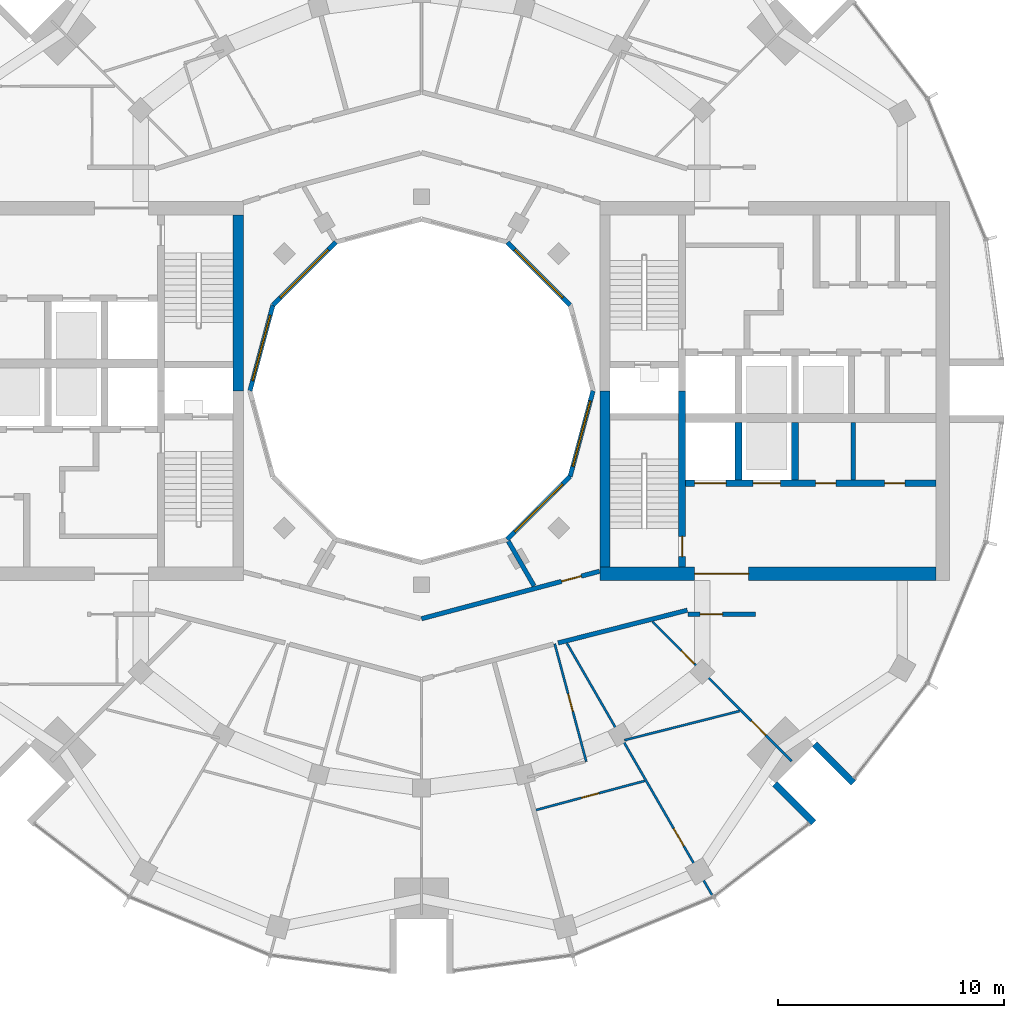
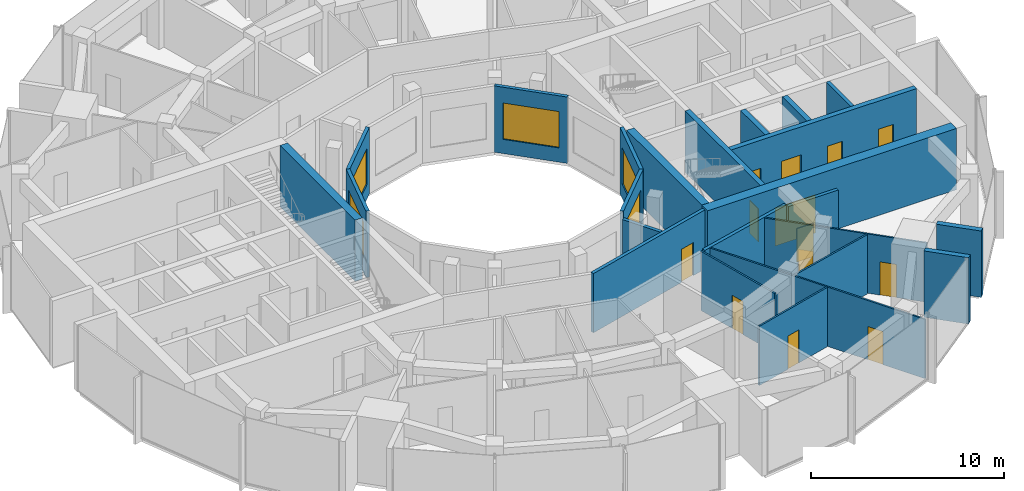
# One storey, part 10 of 15: 24 walls, 13 doors, 5 windows, 18 openings.
"""IFC4 building model written with IfcOpenShell, lengths in metres."""

from ifc_helpers import new_model, si_unit, direction, frame, frame_2d, origin, place, context, subcontext, project, spatial, rectangle, extrude, material, layer, layer_set, type_object, element, fill, save


model = new_model("IFC4")

# Units and contexts
model_context = context("Model", 3, precision=1e-05, world=origin(), true_north=direction((0.0, 1.0)))
body_context = subcontext(model_context, "Body", "Model", "MODEL_VIEW")
ifc_project = project(units=[si_unit("LENGTHUNIT", "METRE"), si_unit("AREAUNIT", "SQUARE_METRE"), si_unit("VOLUMEUNIT", "CUBIC_METRE"), si_unit("PLANEANGLEUNIT", "RADIAN"), si_unit("MASSUNIT", "GRAM", prefix="KILO")], contexts=[model_context])

# Site, building, storey
site_placement = place(None, origin())
site = spatial("IfcSite", under=ifc_project, at=site_placement, CompositionType="ELEMENT")
building_placement = place(site_placement, origin())
building = spatial("IfcBuilding", under=site, at=building_placement, Name="Torre Brocal", CompositionType="ELEMENT")
storey_placement = place(building_placement, frame((0.0, 0.0, 254.10009765625)))
storey = spatial("IfcBuildingStorey", under=building, at=storey_placement, Name="L58", CompositionType="ELEMENT", Elevation=254.10009765625)

# Wall
ifc_material_1 = material(Name="Masonry block", Category="masonry")
ifc_layer_1 = layer(ifc_material_1, 0.199951171875)
ifc_layer_set_1 = layer_set([ifc_layer_1], Name="Masonry block")
wall_type_1 = type_object("IfcWallType", Name="CORE PARTITION 200", PredefinedType="PARTITIONING", material=ifc_layer_set_1)
wall_1_placement = place(storey_placement, frame((99.139892578125, 71.050048828125, 0.0), z_axis=(0.0, 0.0, 1.0), x_axis=(0.0, 1.0, 0.0)))
element("IfcWall", 1, at=wall_1_placement, inside=storey, type_object=wall_type_1, Name="Wall CP200", PredefinedType="PARTITIONING", context=body_context, shape_type="SweptSolid", body=[
    extrude(rectangle(XDim=2.550048828125, YDim=0.199951171875, at=frame_2d((1.27490234375, 0.0))), origin(), (0.0, 0.0, 1.0), 3.8798828125),
])

# Wall, opening, door
ifc_material_2 = material(Name="Concrete C60", Category="concrete")
ifc_layer_2 = layer(ifc_material_2, 0.300048828125)
ifc_layer_set_2 = layer_set([ifc_layer_2], Name="Concrete C60")
wall_type_2 = type_object("IfcWallType", Name="CORE WALL 300 C60", PredefinedType="SHEAR", material=ifc_layer_set_2)
wall_2_placement = place(storey_placement, frame((91.550048828125, 67.199951171875, 0.0), z_axis=(0.0, 0.0, 1.0), x_axis=(0.0, 1.0, 0.0)))
wall_2 = element("IfcWall", 2, at=wall_2_placement, inside=storey, type_object=wall_type_2, Name="Wall CW300-60", PredefinedType="SHEAR", context=body_context, shape_type="SweptSolid", body=[
    extrude(rectangle(XDim=7.800048828125, YDim=0.300048828125, at=frame_2d((3.89990234375, 0.0))), origin(), (0.0, 0.0, 1.0), 3.8798828125),
])
opening_1_placement = place(wall_2_placement, frame((0.449951171875, 0.0, 0.0)))
opening_1 = element("IfcOpeningElement", 3, at=opening_1_placement, cuts=wall_2, Name="Opening E-D03", PredefinedType="OPENING", context=body_context, shape_type="SweptSolid", body=[
    extrude(rectangle(XDim=0.89990234375, YDim=2.10009765625, at=frame_2d((0.449951171875, 1.050048828125))), frame((0.0, 0.159912109375, 0.0), z_axis=(0.0, -1.0, 0.0), x_axis=(1.0, 0.0, 0.0)), (0.0, 0.0, 1.0), 0.320068359375),
])
ifc_material_3 = material(Name="Steel A653", Category="steel")
door_type_1 = type_object("IfcDoorType", Name="STAIR DOOR FD120 900X2100", OperationType="SINGLE_SWING_RIGHT", PredefinedType="DOOR", material=ifc_material_3)
door_1_placement = place(opening_1_placement, origin())
door_1 = element("IfcDoor", 4, at=door_1_placement, inside=storey, type_object=door_type_1, Name="Door E-D03", OperationType="SINGLE_SWING_LEFT", OverallHeight=2.10009765625, OverallWidth=0.89990234375, PredefinedType="DOOR", context=body_context, shape_type="SweptSolid", body=[
    extrude(rectangle(XDim=0.89990234375, YDim=2.10009765625, at=frame_2d((0.449951171875, 1.050048828125))), frame((0.0, 0.02490234375, 0.0), z_axis=(0.0, -1.0, 0.0), x_axis=(1.0, 0.0, 0.0)), (0.0, 0.0, 1.0), 0.050048828125),
])
fill(opening_1, door_1)

# Wall, openings, doors
wall_3_placement = place(storey_placement, frame((91.699951171875, 70.89990234375, 0.0), z_axis=(0.0, 0.0, 1.0), x_axis=(1.0, 0.0, 0.0)))
wall_3 = element("IfcWall", 5, at=wall_3_placement, inside=storey, type_object=wall_type_2, Name="Wall CW300-60", PredefinedType="SHEAR", context=body_context, shape_type="SweptSolid", body=[
    extrude(rectangle(XDim=11.10009765625, YDim=0.300048828125, at=frame_2d((5.550048828125, 0.0))), origin(), (0.0, 0.0, 1.0), 3.8798828125),
])
opening_2_placement = place(wall_3_placement, frame((0.39990234375, 0.0, 0.0)))
opening_2 = element("IfcOpeningElement", 6, at=opening_2_placement, cuts=wall_3, Name="Opening LD14", PredefinedType="OPENING", context=body_context, shape_type="SweptSolid", body=[
    extrude(rectangle(XDim=1.39990234375, YDim=2.10009765625, at=frame_2d((0.699951171875, 1.050048828125))), frame((0.0, 0.159912109375, 0.0), z_axis=(0.0, -1.0, 0.0), x_axis=(1.0, 0.0, 0.0)), (0.0, 0.0, 1.0), 0.320068359375),
])
opening_3_placement = place(wall_3_placement, frame((3.0, 0.0, 0.0)))
opening_3 = element("IfcOpeningElement", 7, at=opening_3_placement, cuts=wall_3, Name="Opening LD12", PredefinedType="OPENING", context=body_context, shape_type="SweptSolid", body=[
    extrude(rectangle(XDim=1.199951171875, YDim=2.10009765625, at=frame_2d((0.60009765625, 1.050048828125))), frame((0.0, 0.159912109375, 0.0), z_axis=(0.0, -1.0, 0.0), x_axis=(1.0, 0.0, 0.0)), (0.0, 0.0, 1.0), 0.320068359375),
])
opening_4_placement = place(wall_3_placement, frame((5.77001953125, 0.0, 0.0)))
opening_4 = element("IfcOpeningElement", 8, at=opening_4_placement, cuts=wall_3, Name="Opening E-D06", PredefinedType="OPENING", context=body_context, shape_type="SweptSolid", body=[
    extrude(rectangle(XDim=0.89990234375, YDim=2.10009765625, at=frame_2d((0.449951171875, 1.050048828125))), frame((0.0, 0.159912109375, 0.0), z_axis=(0.0, -1.0, 0.0), x_axis=(1.0, 0.0, 0.0)), (0.0, 0.0, 1.0), 0.320068359375),
])
opening_5_placement = place(wall_3_placement, frame((8.820068359375, 0.0, 0.0)))
opening_5 = element("IfcOpeningElement", 9, at=opening_5_placement, cuts=wall_3, Name="Opening E-D07", PredefinedType="OPENING", context=body_context, shape_type="SweptSolid", body=[
    extrude(rectangle(XDim=0.89990234375, YDim=2.10009765625, at=frame_2d((0.449951171875, 1.050048828125))), frame((0.0, 0.159912109375, 0.0), z_axis=(0.0, -1.0, 0.0), x_axis=(1.0, 0.0, 0.0)), (0.0, 0.0, 1.0), 0.320068359375),
])
ifc_material_4 = material(Name="Stainless steel AISI 316", Category="steel")
door_type_2 = type_object("IfcDoorType", Name="LIFT LANDING DOOR 1200X2100", OperationType="DOUBLE_DOOR_SLIDING", PredefinedType="DOOR", material=ifc_material_4)
door_2_placement = place(opening_3_placement, origin())
door_2 = element("IfcDoor", 10, at=door_2_placement, inside=storey, type_object=door_type_2, Name="Door LD12", OperationType="DOUBLE_DOOR_SLIDING", OverallHeight=2.10009765625, OverallWidth=1.199951171875, PredefinedType="DOOR", context=body_context, shape_type="SweptSolid", body=[
    extrude(rectangle(XDim=1.199951171875, YDim=2.10009765625, at=frame_2d((0.60009765625, 1.050048828125))), frame((0.0, 0.02490234375, 0.0), z_axis=(0.0, -1.0, 0.0), x_axis=(1.0, 0.0, 0.0)), (0.0, 0.0, 1.0), 0.050048828125),
])
fill(opening_3, door_2)
ifc_material_5 = material(Name="Stainless steel AISI 316", Category="steel")
door_type_3 = type_object("IfcDoorType", Name="LIFT LANDING DOOR 1400X2100", OperationType="DOUBLE_DOOR_SLIDING", PredefinedType="DOOR", material=ifc_material_5)
door_3_placement = place(opening_2_placement, origin())
door_3 = element("IfcDoor", 11, at=door_3_placement, inside=storey, type_object=door_type_3, Name="Door LD14", OperationType="DOUBLE_DOOR_SLIDING", OverallHeight=2.10009765625, OverallWidth=1.39990234375, PredefinedType="DOOR", context=body_context, shape_type="SweptSolid", body=[
    extrude(rectangle(XDim=1.39990234375, YDim=2.10009765625, at=frame_2d((0.699951171875, 1.050048828125))), frame((0.0, 0.02490234375, 0.0), z_axis=(0.0, -1.0, 0.0), x_axis=(1.0, 0.0, 0.0)), (0.0, 0.0, 1.0), 0.050048828125),
])
fill(opening_2, door_3)
ifc_material_6 = material(Name="Steel A653", Category="steel")
door_type_4 = type_object("IfcDoorType", Name="ROOM DOOR FD30S 900X2100", OperationType="SINGLE_SWING_LEFT", PredefinedType="DOOR", material=ifc_material_6)
door_4_placement = place(opening_4_placement, origin())
door_4 = element("IfcDoor", 12, at=door_4_placement, inside=storey, type_object=door_type_4, Name="Door E-D06", OperationType="SINGLE_SWING_RIGHT", OverallHeight=2.10009765625, OverallWidth=0.89990234375, PredefinedType="DOOR", context=body_context, shape_type="SweptSolid", body=[
    extrude(rectangle(XDim=0.89990234375, YDim=2.10009765625, at=frame_2d((0.449951171875, 1.050048828125))), frame((0.0, 0.02490234375, 0.0), z_axis=(0.0, -1.0, 0.0), x_axis=(1.0, 0.0, 0.0)), (0.0, 0.0, 1.0), 0.050048828125),
])
fill(opening_4, door_4)
door_5_placement = place(opening_5_placement, origin())
door_5 = element("IfcDoor", 13, at=door_5_placement, inside=storey, type_object=door_type_4, Name="Door E-D07", OperationType="SINGLE_SWING_LEFT", OverallHeight=2.10009765625, OverallWidth=0.89990234375, PredefinedType="DOOR", context=body_context, shape_type="SweptSolid", body=[
    extrude(rectangle(XDim=0.89990234375, YDim=2.10009765625, at=frame_2d((0.449951171875, 1.050048828125))), frame((0.0, 0.02490234375, 0.0), z_axis=(0.0, -1.0, 0.0), x_axis=(1.0, 0.0, 0.0)), (0.0, 0.0, 1.0), 0.050048828125),
])
fill(opening_5, door_5)

# Walls
for number, where, z_axis, x_axis, name in (
    (14, (94.050048828125, 71.050048828125, 0.0), (0.0, 0.0, 1.0), (0.0, 1.0, 0.0), "Wall CW300-60"),
    (15, (96.550048828125, 71.050048828125, 0.0), (0.0, 0.0, 1.0), (0.0, 1.0, 0.0), "Wall CW300-60"),
):
    element("IfcWall", number, at=place(storey_placement, frame(where, z_axis=z_axis, x_axis=x_axis)), inside=storey, type_object=wall_type_2, Name=name, PredefinedType="SHEAR", context=body_context, shape_type="SweptSolid", body=[
        extrude(rectangle(XDim=2.550048828125, YDim=0.300048828125, at=frame_2d((1.27490234375, 0.0))), origin(), (0.0, 0.0, 1.0), 3.8798828125),
    ])
ifc_material_7 = material(Name="Concrete C60", Category="concrete")
ifc_layer_3 = layer(ifc_material_7, 0.449951171875)
ifc_layer_set_3 = layer_set([ifc_layer_3], Name="Concrete C60")
wall_type_3 = type_object("IfcWallType", Name="CORE WALL 450 C60", PredefinedType="SHEAR", material=ifc_layer_set_3)
for number, where, z_axis, x_axis, name in (
    (16, (88.125, 67.199951171875, 0.0), (0.0, 0.0, 1.0), (0.0, 1.0, 0.0), "Wall CW450-60"),
    (17, (71.875, 82.800048828125, 0.0), (0.0, 0.0, 1.0), (0.0, -1.0, 0.0), "Wall CW450-60"),
):
    element("IfcWall", number, at=place(storey_placement, frame(where, z_axis=z_axis, x_axis=x_axis)), inside=storey, type_object=wall_type_3, Name=name, PredefinedType="SHEAR", context=body_context, shape_type="SweptSolid", body=[
        extrude(rectangle(XDim=7.800048828125, YDim=0.449951171875, at=frame_2d((3.89990234375, 0.0))), origin(), (0.0, 0.0, 1.0), 3.8798828125),
    ])

# Wall, opening, door
ifc_material_8 = material(Name="Concrete C60", Category="concrete")
ifc_layer_4 = layer(ifc_material_8, 0.60009765625)
ifc_layer_set_4 = layer_set([ifc_layer_4], Name="Concrete C60")
wall_type_4 = type_object("IfcWallType", Name="CORE WALL 600 C60", PredefinedType="SHEAR", material=ifc_layer_set_4)
wall_4_placement = place(storey_placement, frame((87.89990234375, 66.89990234375, 0.0), z_axis=(0.0, 0.0, 1.0), x_axis=(1.0, 0.0, 0.0)))
wall_4 = element("IfcWall", 18, at=wall_4_placement, inside=storey, type_object=wall_type_4, Name="Wall CW600-60", PredefinedType="SHEAR", context=body_context, shape_type="SweptSolid", body=[
    extrude(rectangle(XDim=14.900146484375, YDim=0.60009765625, at=frame_2d((7.4501953125, 0.0))), origin(), (0.0, 0.0, 1.0), 3.8798828125),
])
opening_6_placement = place(wall_4_placement, frame((4.199951171875, 0.0, 0.0)))
opening_6 = element("IfcOpeningElement", 19, at=opening_6_placement, cuts=wall_4, Name="Opening E-D13", PredefinedType="OPENING", context=body_context, shape_type="SweptSolid", body=[
    extrude(rectangle(XDim=2.39990234375, YDim=2.39990234375, at=frame_2d((1.199951171875, 1.199951171875))), frame((0.0, 0.31005859375, 0.0), z_axis=(0.0, -1.0, 0.0), x_axis=(1.0, 0.0, 0.0)), (0.0, 0.0, 1.0), 0.6201171875),
])
ifc_material_9 = material(Name="Steel A653", Category="steel")
door_type_5 = type_object("IfcDoorType", Name="DOUBLE FIRE DOOR FD90 2400X2400", OperationType="DOUBLE_DOOR_SINGLE_SWING", PredefinedType="DOOR", material=ifc_material_9)
door_6_placement = place(opening_6_placement, origin())
door_6 = element("IfcDoor", 20, at=door_6_placement, inside=storey, type_object=door_type_5, Name="Door E-D13", OperationType="DOUBLE_DOOR_SINGLE_SWING", OverallHeight=2.39990234375, OverallWidth=2.39990234375, PredefinedType="DOOR", context=body_context, shape_type="SweptSolid", body=[
    extrude(rectangle(XDim=2.39990234375, YDim=2.39990234375, at=frame_2d((1.199951171875, 1.199951171875))), frame((0.0, 0.02490234375, 0.0), z_axis=(0.0, -1.0, 0.0), x_axis=(1.0, 0.0, 0.0)), (0.0, 0.0, 1.0), 0.050048828125),
])
fill(opening_6, door_6)

# Walls
ifc_material_10 = material(Name="Concrete C60", Category="concrete")
ifc_layer_5 = layer(ifc_material_10, 0.300048828125)
ifc_layer_set_5 = layer_set([ifc_layer_5], Name="Concrete C60")
wall_type_5 = type_object("IfcWallType", Name="NOTCH RETURN WALL 300 C60", PredefinedType="NOTDEFINED", material=ifc_layer_set_5)
for number, where, z_axis, x_axis, name in (
    (21, (95.662353515625, 57.56982421875, 0.0), (0.0, 0.0, 1.0), (0.707106781187, -0.707106781187, 0.0), "NOTCH RETURN WALL"),
    (22, (97.43017578125, 59.337646484375, 0.0), (0.0, 0.0, 1.0), (0.707106781187, -0.707106781187, 0.0), "NOTCH RETURN WALL"),
):
    element("IfcWall", number, at=place(storey_placement, frame(where, z_axis=z_axis, x_axis=x_axis)), inside=storey, type_object=wall_type_5, Name=name, PredefinedType="NOTDEFINED", context=body_context, shape_type="SweptSolid", body=[
        extrude(rectangle(XDim=2.415771484375, YDim=0.300048828125, at=frame_2d((1.2080078125, 0.0))), origin(), (0.0, 0.0, 1.0), 4.199951171875),
    ])

# Wall, opening, door
ifc_material_11 = material(Name="Gypsum board", Category="Gypsum")
ifc_layer_6 = layer(ifc_material_11, 0.10009765625)
ifc_layer_set_6 = layer_set([ifc_layer_6], Name="Gypsum board")
wall_type_6 = type_object("IfcWallType", Name="PARTITION 100", PredefinedType="PARTITIONING", material=ifc_layer_set_6)
wall_5_placement = place(storey_placement, frame((85.08154296875, 56.421875, 0.0), z_axis=(0.0, 0.0, 1.0), x_axis=(0.965916105496, 0.258855320873, 0.0)))
wall_5 = element("IfcWall", 23, at=wall_5_placement, inside=storey, type_object=wall_type_6, Name="BATHROOM WALL", PredefinedType="PARTITIONING", context=body_context, shape_type="SweptSolid", body=[
    extrude(rectangle(XDim=4.980712890625, YDim=0.10009765625, at=frame_2d((2.490234375, 0.0))), origin(), (0.0, 0.0, 1.0), 3.75),
])
opening_7_placement = place(wall_5_placement, frame((2.08056640625, 0.0, 0.0)))
opening_7 = element("IfcOpeningElement", 24, at=opening_7_placement, cuts=wall_5, Name="Opening B04-D26", PredefinedType="OPENING", context=body_context, shape_type="SweptSolid", body=[
    extrude(rectangle(XDim=0.800048828125, YDim=2.10009765625, at=frame_2d((0.39990234375, 1.050048828125))), frame((0.0, 0.06005859375, 0.0), z_axis=(0.0, -1.0, 0.0), x_axis=(1.0, 0.0, 0.0)), (0.0, 0.0, 1.0), 0.1201171875),
])
ifc_material_12 = material(Name="Timber", Category="wood")
door_type_6 = type_object("IfcDoorType", Name="BATHROOM DOOR 800X2100", OperationType="SINGLE_SWING_LEFT", PredefinedType="DOOR", material=ifc_material_12)
door_7_placement = place(opening_7_placement, frame((0.800048828125, 0.0, 0.0), z_axis=(0.0, 0.0, 1.0), x_axis=(-1.0, 0.0, 0.0)))
door_7 = element("IfcDoor", 25, at=door_7_placement, inside=storey, type_object=door_type_6, Name="B04-D26", OperationType="SINGLE_SWING_RIGHT", OverallHeight=2.10009765625, OverallWidth=0.800048828125, PredefinedType="DOOR", context=body_context, shape_type="SweptSolid", body=[
    extrude(rectangle(XDim=0.800048828125, YDim=2.10009765625, at=frame_2d((0.39990234375, 1.050048828125))), frame((0.0, 0.02490234375, 0.0), z_axis=(0.0, -1.0, 0.0), x_axis=(1.0, 0.0, 0.0)), (0.0, 0.0, 1.0), 0.050048828125),
])
fill(opening_7, door_7)

wall_6_placement = place(storey_placement, frame((85.904052734375, 63.785888671875, 0.0), z_axis=(0.0, 0.0, 1.0), x_axis=(0.258883730688, -0.965908491517, 0.0)))
wall_6 = element("IfcWall", 26, at=wall_6_placement, inside=storey, type_object=wall_type_6, Name="BATHROOM WALL", PredefinedType="PARTITIONING", context=body_context, shape_type="SweptSolid", body=[
    extrude(rectangle(XDim=5.39990234375, YDim=0.10009765625, at=frame_2d((2.699951171875, 0.0))), origin(), (0.0, 0.0, 1.0), 3.75),
])
opening_8_placement = place(wall_6_placement, frame((2.300048828125, 0.0, 0.0)))
opening_8 = element("IfcOpeningElement", 27, at=opening_8_placement, cuts=wall_6, Name="Opening B04-D25", PredefinedType="OPENING", context=body_context, shape_type="SweptSolid", body=[
    extrude(rectangle(XDim=0.800048828125, YDim=2.10009765625, at=frame_2d((0.39990234375, 1.050048828125))), frame((0.0, 0.06005859375, 0.0), z_axis=(0.0, -1.0, 0.0), x_axis=(1.0, 0.0, 0.0)), (0.0, 0.0, 1.0), 0.1201171875),
])
door_8_placement = place(opening_8_placement, frame((0.800048828125, 0.0, 0.0), z_axis=(0.0, 0.0, 1.0), x_axis=(-1.0, 0.0, 0.0)))
door_8 = element("IfcDoor", 28, at=door_8_placement, inside=storey, type_object=door_type_6, Name="B04-D25", OperationType="SINGLE_SWING_RIGHT", OverallHeight=2.10009765625, OverallWidth=0.800048828125, PredefinedType="DOOR", context=body_context, shape_type="SweptSolid", body=[
    extrude(rectangle(XDim=0.800048828125, YDim=2.10009765625, at=frame_2d((0.39990234375, 1.050048828125))), frame((0.0, 0.02490234375, 0.0), z_axis=(0.0, -1.0, 0.0), x_axis=(1.0, 0.0, 0.0)), (0.0, 0.0, 1.0), 0.050048828125),
])
fill(opening_8, door_8)

wall_7_placement = place(storey_placement, frame((86.443359375, 63.811279296875, 0.0), z_axis=(0.0, 0.0, 1.0), x_axis=(0.499444698744, -0.866345769827, 0.0)))
wall_7 = element("IfcWall", 29, at=wall_7_placement, inside=storey, type_object=wall_type_6, Name="BATHROOM WALL", PredefinedType="PARTITIONING", context=body_context, shape_type="SweptSolid", body=[
    extrude(rectangle(XDim=12.886474609375, YDim=0.10009765625, at=frame_2d((6.443359375, 0.0))), origin(), (0.0, 0.0, 1.0), 3.75),
])
opening_9_placement = place(wall_7_placement, frame((9.471923828125, 0.0, 0.0)))
opening_9 = element("IfcOpeningElement", 30, at=opening_9_placement, cuts=wall_7, Name="Opening B04-D24", PredefinedType="OPENING", context=body_context, shape_type="SweptSolid", body=[
    extrude(rectangle(XDim=0.89990234375, YDim=2.10009765625, at=frame_2d((0.449951171875, 1.050048828125))), frame((0.0, 0.06005859375, 0.0), z_axis=(0.0, -1.0, 0.0), x_axis=(1.0, 0.0, 0.0)), (0.0, 0.0, 1.0), 0.1201171875),
])
ifc_material_13 = material(Name="Timber", Category="wood")
door_type_7 = type_object("IfcDoorType", Name="ROOM DOOR 900X2100", OperationType="SINGLE_SWING_LEFT", PredefinedType="DOOR", material=ifc_material_13)
door_9_placement = place(opening_9_placement, origin())
door_9 = element("IfcDoor", 31, at=door_9_placement, inside=storey, type_object=door_type_7, Name="B04-D24", OperationType="SINGLE_SWING_RIGHT", OverallHeight=2.10009765625, OverallWidth=0.89990234375, PredefinedType="DOOR", context=body_context, shape_type="SweptSolid", body=[
    extrude(rectangle(XDim=0.89990234375, YDim=2.10009765625, at=frame_2d((0.449951171875, 1.050048828125))), frame((0.0, 0.02490234375, 0.0), z_axis=(0.0, -1.0, 0.0), x_axis=(1.0, 0.0, 0.0)), (0.0, 0.0, 1.0), 0.050048828125),
])
fill(opening_9, door_9)

# Wall
wall_8_placement = place(storey_placement, frame((88.99560546875, 59.516357421875, 0.0), z_axis=(0.0, 0.0, 1.0), x_axis=(0.969474312332, 0.245192899019, 0.0)))
element("IfcWall", 32, at=wall_8_placement, inside=storey, type_object=wall_type_6, Name="BATHROOM WALL", PredefinedType="PARTITIONING", context=body_context, shape_type="SweptSolid", body=[
    extrude(rectangle(XDim=5.25146484375, YDim=0.10009765625, at=frame_2d((2.625732421875, 0.0))), origin(), (0.0, 0.0, 1.0), 3.75),
])

# Wall, openings, doors
wall_9_placement = place(storey_placement, frame((90.237060546875, 64.759033203125, 0.0), z_axis=(0.0, 0.0, 1.0), x_axis=(0.707008780941, -0.707204767852, 0.0)))
wall_9 = element("IfcWall", 33, at=wall_9_placement, inside=storey, type_object=wall_type_6, Name="BATHROOM WALL", PredefinedType="PARTITIONING", context=body_context, shape_type="SweptSolid", body=[
    extrude(rectangle(XDim=8.719970703125, YDim=0.10009765625, at=frame_2d((4.35986328125, 0.0))), origin(), (0.0, 0.0, 1.0), 3.75),
])
opening_10_placement = place(wall_9_placement, frame((6.206298828125, 0.0, 0.0)))
opening_10 = element("IfcOpeningElement", 34, at=opening_10_placement, cuts=wall_9, Name="Opening B04-D22", PredefinedType="OPENING", context=body_context, shape_type="SweptSolid", body=[
    extrude(rectangle(XDim=0.89990234375, YDim=2.10009765625, at=frame_2d((0.449951171875, 1.050048828125))), frame((0.0, 0.06005859375, 0.0), z_axis=(0.0, -1.0, 0.0), x_axis=(1.0, 0.0, 0.0)), (0.0, 0.0, 1.0), 0.1201171875),
])
opening_11_placement = place(wall_9_placement, frame((1.817138671875, 0.0, 0.0)))
opening_11 = element("IfcOpeningElement", 35, at=opening_11_placement, cuts=wall_9, Name="Opening B04-D23", PredefinedType="OPENING", context=body_context, shape_type="SweptSolid", body=[
    extrude(rectangle(XDim=0.800048828125, YDim=2.10009765625, at=frame_2d((0.39990234375, 1.050048828125))), frame((0.0, 0.06005859375, 0.0), z_axis=(0.0, -1.0, 0.0), x_axis=(1.0, 0.0, 0.0)), (0.0, 0.0, 1.0), 0.1201171875),
])
door_10_placement = place(opening_11_placement, frame((0.800048828125, 0.0, 0.0), z_axis=(0.0, 0.0, 1.0), x_axis=(-1.0, 0.0, 0.0)))
door_10 = element("IfcDoor", 36, at=door_10_placement, inside=storey, type_object=door_type_6, Name="B04-D23", OperationType="SINGLE_SWING_RIGHT", OverallHeight=2.10009765625, OverallWidth=0.800048828125, PredefinedType="DOOR", context=body_context, shape_type="SweptSolid", body=[
    extrude(rectangle(XDim=0.800048828125, YDim=2.10009765625, at=frame_2d((0.39990234375, 1.050048828125))), frame((0.0, 0.02490234375, 0.0), z_axis=(0.0, -1.0, 0.0), x_axis=(1.0, 0.0, 0.0)), (0.0, 0.0, 1.0), 0.050048828125),
])
fill(opening_11, door_10)
door_11_placement = place(opening_10_placement, origin())
door_11 = element("IfcDoor", 37, at=door_11_placement, inside=storey, type_object=door_type_7, Name="B04-D22", OperationType="SINGLE_SWING_LEFT", OverallHeight=2.10009765625, OverallWidth=0.89990234375, PredefinedType="DOOR", context=body_context, shape_type="SweptSolid", body=[
    extrude(rectangle(XDim=0.89990234375, YDim=2.10009765625, at=frame_2d((0.449951171875, 1.050048828125))), frame((0.0, 0.02490234375, 0.0), z_axis=(0.0, -1.0, 0.0), x_axis=(1.0, 0.0, 0.0)), (0.0, 0.0, 1.0), 0.050048828125),
])
fill(opening_10, door_11)

# Wall, opening, door
ifc_material_14 = material(Name="Gypsum board", Category="Gypsum")
ifc_layer_7 = layer(ifc_material_14, 0.199951171875)
ifc_layer_set_7 = layer_set([ifc_layer_7], Name="Gypsum board")
wall_type_7 = type_object("IfcWallType", Name="PARTITION 200 EI60", PredefinedType="PARTITIONING", material=ifc_layer_set_7)
wall_10_placement = place(storey_placement, frame((79.99951171875, 64.89794921875, 0.0), z_axis=(0.0, 0.0, 1.0), x_axis=(0.966237419782, 0.257653349704, 0.0)))
wall_10 = element("IfcWall", 38, at=wall_10_placement, inside=storey, type_object=wall_type_7, Name="CORRIDOR WALL", PredefinedType="PARTITIONING", context=body_context, shape_type="SweptSolid", body=[
    extrude(rectangle(XDim=8.1689453125, YDim=0.199951171875, at=frame_2d((4.08447265625, 0.0))), origin(), (0.0, 0.0, 1.0), 3.75),
])
opening_12_placement = place(wall_10_placement, frame((6.427978515625, 0.0, 0.0)))
opening_12 = element("IfcOpeningElement", 39, at=opening_12_placement, cuts=wall_10, Name="Opening B04-D39", PredefinedType="OPENING", context=body_context, shape_type="SweptSolid", body=[
    extrude(rectangle(XDim=0.89990234375, YDim=2.10009765625, at=frame_2d((0.449951171875, 1.050048828125))), frame((0.0, 0.10986328125, 0.0), z_axis=(0.0, -1.0, 0.0), x_axis=(1.0, 0.0, 0.0)), (0.0, 0.0, 1.0), 0.219970703125),
])
door_12_placement = place(opening_12_placement, origin())
door_12 = element("IfcDoor", 40, at=door_12_placement, inside=storey, type_object=door_type_7, Name="B04-D39", OperationType="SINGLE_SWING_RIGHT", OverallHeight=2.10009765625, OverallWidth=0.89990234375, PredefinedType="DOOR", context=body_context, shape_type="SweptSolid", body=[
    extrude(rectangle(XDim=0.89990234375, YDim=2.10009765625, at=frame_2d((0.449951171875, 1.050048828125))), frame((0.0, 0.02490234375, 0.0), z_axis=(0.0, -1.0, 0.0), x_axis=(1.0, 0.0, 0.0)), (0.0, 0.0, 1.0), 0.050048828125),
])
fill(opening_12, door_12)

# Walls
wall_11_placement = place(storey_placement, frame((83.848388671875, 68.331298828125, 0.0), z_axis=(0.0, 0.0, 1.0), x_axis=(0.499851978358, -0.866110847255, 0.0)))
element("IfcWall", 41, at=wall_11_placement, inside=storey, type_object=wall_type_7, Name="PARTY PARTITION", PredefinedType="PARTITIONING", context=body_context, shape_type="SweptSolid", body=[
    extrude(rectangle(XDim=2.284423828125, YDim=0.199951171875, at=frame_2d((1.14208984375, 0.0))), origin(), (0.0, 0.0, 1.0), 3.75),
])
wall_12_placement = place(storey_placement, frame((86.052978515625, 63.826171875, 0.0), z_axis=(0.0, 0.0, 1.0), x_axis=(0.969490004987, 0.245130843083, 0.0)))
element("IfcWall", 42, at=wall_12_placement, inside=storey, type_object=wall_type_7, Name="FLAT ENTRANCE WALL", PredefinedType="PARTITIONING", context=body_context, shape_type="SweptSolid", body=[
    extrude(rectangle(XDim=5.907958984375, YDim=0.199951171875, at=frame_2d((2.9541015625, 0.0))), origin(), (0.0, 0.0, 1.0), 3.75),
])

# Wall, opening, door
wall_13_placement = place(storey_placement, frame((91.800048828125, 65.10009765625, 0.0), z_axis=(0.0, 0.0, 1.0), x_axis=(1.0, 0.0, 0.0)))
wall_13 = element("IfcWall", 43, at=wall_13_placement, inside=storey, type_object=wall_type_7, Name="FLAT ENTRANCE WALL", PredefinedType="PARTITIONING", context=body_context, shape_type="SweptSolid", body=[
    extrude(rectangle(XDim=3.0, YDim=0.199951171875, at=frame_2d((1.5, 0.0))), origin(), (0.0, 0.0, 1.0), 3.75),
])
opening_13_placement = place(wall_13_placement, frame((0.550048828125, 0.0, 0.0)))
opening_13 = element("IfcOpeningElement", 44, at=opening_13_placement, cuts=wall_13, Name="Opening B04-D21", PredefinedType="OPENING", context=body_context, shape_type="SweptSolid", body=[
    extrude(rectangle(XDim=1.0, YDim=2.10009765625, at=frame_2d((0.5, 1.050048828125))), frame((0.0, 0.10986328125, 0.0), z_axis=(0.0, -1.0, 0.0), x_axis=(1.0, 0.0, 0.0)), (0.0, 0.0, 1.0), 0.219970703125),
])
ifc_material_15 = material(Name="Timber", Category="wood")
door_type_8 = type_object("IfcDoorType", Name="FLAT ENTRY DOOR FD30S 1000X2100", OperationType="SINGLE_SWING_RIGHT", PredefinedType="DOOR", material=ifc_material_15)
door_13_placement = place(opening_13_placement, frame((1.0, 0.0, 0.0), z_axis=(0.0, 0.0, 1.0), x_axis=(-1.0, 0.0, 0.0)))
door_13 = element("IfcDoor", 45, at=door_13_placement, inside=storey, type_object=door_type_8, Name="B04-D21", OperationType="SINGLE_SWING_RIGHT", OverallHeight=2.10009765625, OverallWidth=1.0, PredefinedType="DOOR", context=body_context, shape_type="SweptSolid", body=[
    extrude(rectangle(XDim=1.0, YDim=2.10009765625, at=frame_2d((0.5, 1.050048828125))), frame((0.0, 0.02490234375, 0.0), z_axis=(0.0, -1.0, 0.0), x_axis=(1.0, 0.0, 0.0)), (0.0, 0.0, 1.0), 0.050048828125),
])
fill(opening_13, door_13)

# Wall, opening, window
ifc_material_16 = material(Name="Concrete C40", Category="concrete")
ifc_layer_8 = layer(ifc_material_16, 0.199951171875)
ifc_layer_set_8 = layer_set([ifc_layer_8], Name="Concrete C40")
wall_type_8 = type_object("IfcWallType", Name="WELL FACADE WALL 200", PredefinedType="NOTDEFINED", material=ifc_layer_set_8)
wall_14_placement = place(storey_placement, frame((86.5849609375, 78.8017578125, 0.0), z_axis=(0.0, 0.0, 1.0), x_axis=(-0.707106781187, 0.707106781187, 0.0)))
wall_14 = element("IfcWall", 46, at=wall_14_placement, inside=storey, type_object=wall_type_8, Name="WELL FACADE WALL", PredefinedType="NOTDEFINED", context=body_context, shape_type="SweptSolid", body=[
    extrude(rectangle(XDim=3.93603515625, YDim=0.199951171875, at=frame_2d((1.968017578125, 0.0))), origin(), (0.0, 0.0, 1.0), 4.199951171875),
])
opening_14_placement = place(wall_14_placement, frame((0.468017578125, 0.0, 0.89990234375)))
opening_14 = element("IfcOpeningElement", 47, at=opening_14_placement, cuts=wall_14, Name="Opening W1", PredefinedType="OPENING", context=body_context, shape_type="SweptSolid", body=[
    extrude(rectangle(XDim=3.0, YDim=2.300048828125, at=frame_2d((1.5, 1.14990234375))), frame((0.0, 0.10986328125, 0.0), z_axis=(0.0, -1.0, 0.0), x_axis=(1.0, 0.0, 0.0)), (0.0, 0.0, 1.0), 0.219970703125),
])
ifc_material_17 = material(Name="Aluminium and glass", Category="aluminium")
window_type = type_object("IfcWindowType", Name="WELL WINDOW 3000X2300", PartitioningType="SINGLE_PANEL", PredefinedType="WINDOW", material=ifc_material_17)
window_1_placement = place(opening_14_placement, origin())
window_1 = element("IfcWindow", 48, at=window_1_placement, inside=storey, type_object=window_type, Name="WELL WINDOW 3000X2300", OverallHeight=2.300048828125, OverallWidth=3.0, PartitioningType="SINGLE_PANEL", PredefinedType="WINDOW", context=body_context, shape_type="SweptSolid", body=[
    extrude(rectangle(XDim=3.0, YDim=2.300048828125, at=frame_2d((1.5, 1.14990234375))), frame((0.0, 0.030029296875, 0.0), z_axis=(0.0, -1.0, 0.0), x_axis=(1.0, 0.0, 0.0)), (0.0, 0.0, 1.0), 0.06005859375),
])
fill(opening_14, window_1)

wall_15_placement = place(storey_placement, frame((76.1982421875, 81.5849609375, 0.0), z_axis=(0.0, 0.0, 1.0), x_axis=(-0.707106781187, -0.707106781187, 0.0)))
wall_15 = element("IfcWall", 49, at=wall_15_placement, inside=storey, type_object=wall_type_8, Name="WELL FACADE WALL", PredefinedType="NOTDEFINED", context=body_context, shape_type="SweptSolid", body=[
    extrude(rectangle(XDim=3.93603515625, YDim=0.199951171875, at=frame_2d((1.968017578125, 0.0))), origin(), (0.0, 0.0, 1.0), 4.199951171875),
])
opening_15_placement = place(wall_15_placement, frame((0.468017578125, 0.0, 0.89990234375)))
opening_15 = element("IfcOpeningElement", 50, at=opening_15_placement, cuts=wall_15, Name="Opening W1", PredefinedType="OPENING", context=body_context, shape_type="SweptSolid", body=[
    extrude(rectangle(XDim=3.0, YDim=2.300048828125, at=frame_2d((1.5, 1.14990234375))), frame((0.0, 0.10986328125, 0.0), z_axis=(0.0, -1.0, 0.0), x_axis=(1.0, 0.0, 0.0)), (0.0, 0.0, 1.0), 0.219970703125),
])
window_2_placement = place(opening_15_placement, origin())
window_2 = element("IfcWindow", 51, at=window_2_placement, inside=storey, type_object=window_type, Name="WELL WINDOW 3000X2300", OverallHeight=2.300048828125, OverallWidth=3.0, PartitioningType="SINGLE_PANEL", PredefinedType="WINDOW", context=body_context, shape_type="SweptSolid", body=[
    extrude(rectangle(XDim=3.0, YDim=2.300048828125, at=frame_2d((1.5, 1.14990234375))), frame((0.0, 0.030029296875, 0.0), z_axis=(0.0, -1.0, 0.0), x_axis=(1.0, 0.0, 0.0)), (0.0, 0.0, 1.0), 0.06005859375),
])
fill(opening_15, window_2)

wall_16_placement = place(storey_placement, frame((73.4150390625, 78.8017578125, 0.0), z_axis=(0.0, 0.0, 1.0), x_axis=(-0.258789828301, -0.965933654434, 0.0)))
wall_16 = element("IfcWall", 52, at=wall_16_placement, inside=storey, type_object=wall_type_8, Name="WELL FACADE WALL", PredefinedType="NOTDEFINED", context=body_context, shape_type="SweptSolid", body=[
    extrude(rectangle(XDim=3.935791015625, YDim=0.199951171875, at=frame_2d((1.9677734375, 0.0))), origin(), (0.0, 0.0, 1.0), 4.199951171875),
])
opening_16_placement = place(wall_16_placement, frame((0.468017578125, 0.0, 0.89990234375)))
opening_16 = element("IfcOpeningElement", 53, at=opening_16_placement, cuts=wall_16, Name="Opening W1", PredefinedType="OPENING", context=body_context, shape_type="SweptSolid", body=[
    extrude(rectangle(XDim=3.0, YDim=2.300048828125, at=frame_2d((1.5, 1.14990234375))), frame((0.0, 0.10986328125, 0.0), z_axis=(0.0, -1.0, 0.0), x_axis=(1.0, 0.0, 0.0)), (0.0, 0.0, 1.0), 0.219970703125),
])
window_3_placement = place(opening_16_placement, origin())
window_3 = element("IfcWindow", 54, at=window_3_placement, inside=storey, type_object=window_type, Name="WELL WINDOW 3000X2300", OverallHeight=2.300048828125, OverallWidth=3.0, PartitioningType="SINGLE_PANEL", PredefinedType="WINDOW", context=body_context, shape_type="SweptSolid", body=[
    extrude(rectangle(XDim=3.0, YDim=2.300048828125, at=frame_2d((1.5, 1.14990234375))), frame((0.0, 0.030029296875, 0.0), z_axis=(0.0, -1.0, 0.0), x_axis=(1.0, 0.0, 0.0)), (0.0, 0.0, 1.0), 0.06005859375),
])
fill(opening_16, window_3)

wall_17_placement = place(storey_placement, frame((83.8017578125, 68.4150390625, 0.0), z_axis=(0.0, 0.0, 1.0), x_axis=(0.707106781187, 0.707106781187, 0.0)))
wall_17 = element("IfcWall", 55, at=wall_17_placement, inside=storey, type_object=wall_type_8, Name="WELL FACADE WALL", PredefinedType="NOTDEFINED", context=body_context, shape_type="SweptSolid", body=[
    extrude(rectangle(XDim=3.93603515625, YDim=0.199951171875, at=frame_2d((1.968017578125, 0.0))), origin(), (0.0, 0.0, 1.0), 4.199951171875),
])
opening_17_placement = place(wall_17_placement, frame((0.468017578125, 0.0, 0.89990234375)))
opening_17 = element("IfcOpeningElement", 56, at=opening_17_placement, cuts=wall_17, Name="Opening W1", PredefinedType="OPENING", context=body_context, shape_type="SweptSolid", body=[
    extrude(rectangle(XDim=3.0, YDim=2.300048828125, at=frame_2d((1.5, 1.14990234375))), frame((0.0, 0.10986328125, 0.0), z_axis=(0.0, -1.0, 0.0), x_axis=(1.0, 0.0, 0.0)), (0.0, 0.0, 1.0), 0.219970703125),
])
window_4_placement = place(opening_17_placement, origin())
window_4 = element("IfcWindow", 57, at=window_4_placement, inside=storey, type_object=window_type, Name="WELL WINDOW 3000X2300", OverallHeight=2.300048828125, OverallWidth=3.0, PartitioningType="SINGLE_PANEL", PredefinedType="WINDOW", context=body_context, shape_type="SweptSolid", body=[
    extrude(rectangle(XDim=3.0, YDim=2.300048828125, at=frame_2d((1.5, 1.14990234375))), frame((0.0, 0.030029296875, 0.0), z_axis=(0.0, -1.0, 0.0), x_axis=(1.0, 0.0, 0.0)), (0.0, 0.0, 1.0), 0.06005859375),
])
fill(opening_17, window_4)

wall_18_placement = place(storey_placement, frame((86.5849609375, 71.1982421875, 0.0), z_axis=(0.0, 0.0, 1.0), x_axis=(0.258789828301, 0.965933654434, 0.0)))
wall_18 = element("IfcWall", 58, at=wall_18_placement, inside=storey, type_object=wall_type_8, Name="WELL FACADE WALL", PredefinedType="NOTDEFINED", context=body_context, shape_type="SweptSolid", body=[
    extrude(rectangle(XDim=3.935791015625, YDim=0.199951171875, at=frame_2d((1.9677734375, 0.0))), origin(), (0.0, 0.0, 1.0), 4.199951171875),
])
opening_18_placement = place(wall_18_placement, frame((0.468017578125, 0.0, 0.89990234375)))
opening_18 = element("IfcOpeningElement", 59, at=opening_18_placement, cuts=wall_18, Name="Opening W1", PredefinedType="OPENING", context=body_context, shape_type="SweptSolid", body=[
    extrude(rectangle(XDim=3.0, YDim=2.300048828125, at=frame_2d((1.5, 1.14990234375))), frame((0.0, 0.10986328125, 0.0), z_axis=(0.0, -1.0, 0.0), x_axis=(1.0, 0.0, 0.0)), (0.0, 0.0, 1.0), 0.219970703125),
])
window_5_placement = place(opening_18_placement, origin())
window_5 = element("IfcWindow", 60, at=window_5_placement, inside=storey, type_object=window_type, Name="WELL WINDOW 3000X2300", OverallHeight=2.300048828125, OverallWidth=3.0, PartitioningType="SINGLE_PANEL", PredefinedType="WINDOW", context=body_context, shape_type="SweptSolid", body=[
    extrude(rectangle(XDim=3.0, YDim=2.300048828125, at=frame_2d((1.5, 1.14990234375))), frame((0.0, 0.030029296875, 0.0), z_axis=(0.0, -1.0, 0.0), x_axis=(1.0, 0.0, 0.0)), (0.0, 0.0, 1.0), 0.06005859375),
])
fill(opening_18, window_5)

save(model, "model.ifc")
